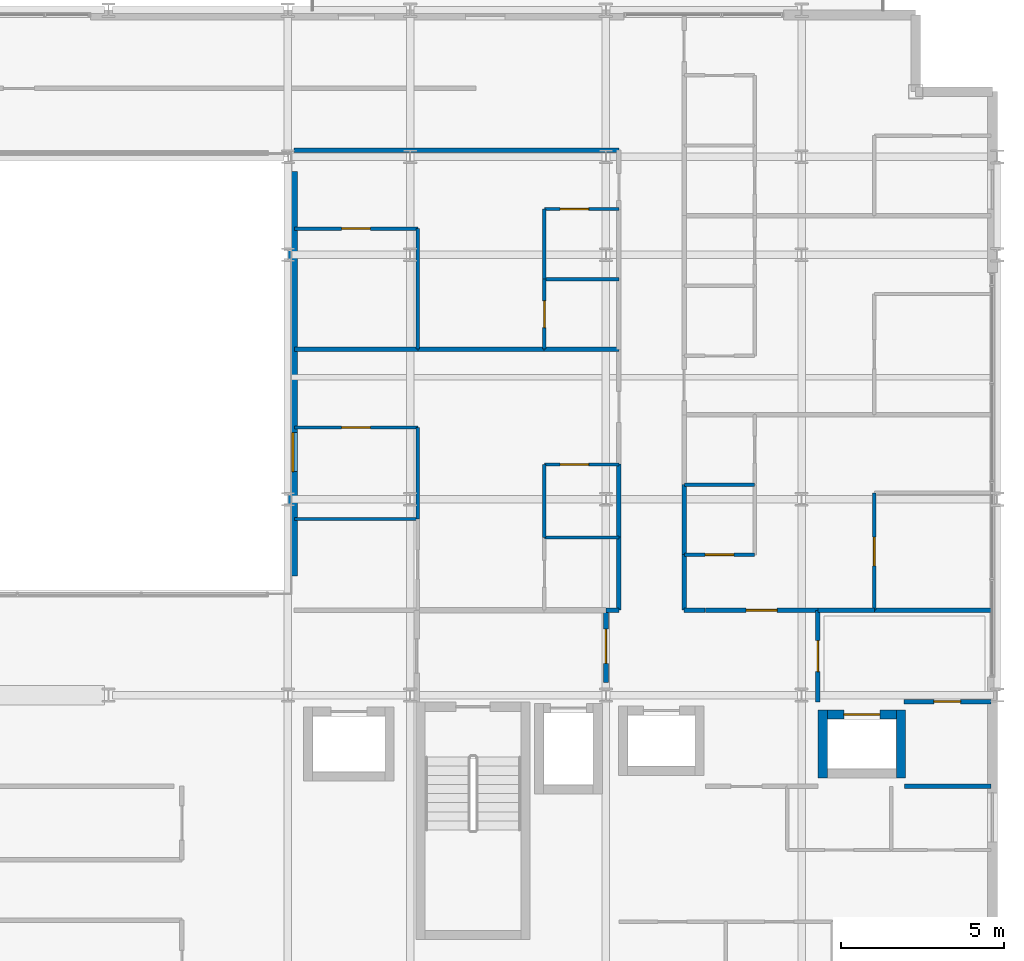
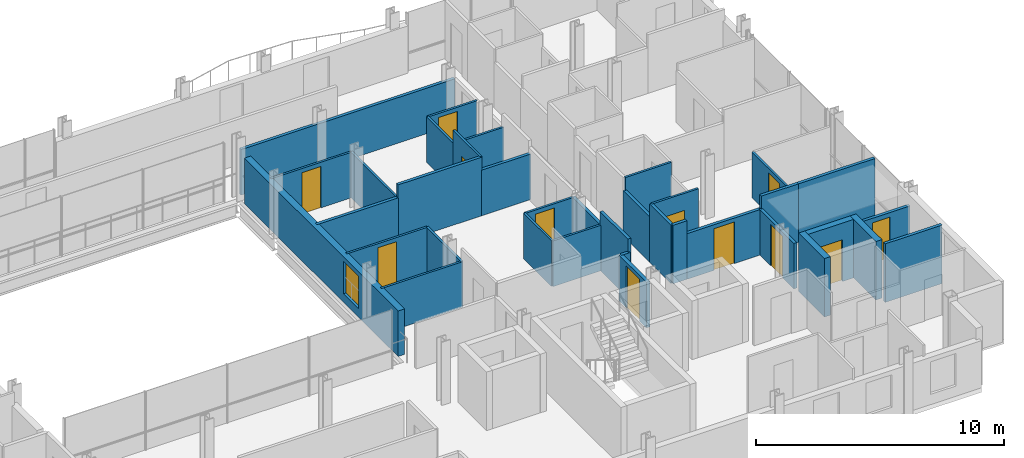
# One storey, part 35 of 40: 36 walls, 12 doors, 1 window, 13 openings.
"""IFC4 building model written with IfcOpenShell, lengths in metres."""

from ifc_helpers import new_model, si_unit, direction, frame, frame_2d, origin, place, context, subcontext, project, spatial, rectangle, extrude, material, layer, layer_set, type_object, element, fill, save


model = new_model("IFC4")

# Units and contexts
model_context = context("Model", 3, precision=1e-05, world=origin(), true_north=direction((0.0, 1.0)))
body_context = subcontext(model_context, "Body", "Model", "MODEL_VIEW")
ifc_project = project(units=[si_unit("LENGTHUNIT", "METRE"), si_unit("AREAUNIT", "SQUARE_METRE"), si_unit("VOLUMEUNIT", "CUBIC_METRE"), si_unit("PLANEANGLEUNIT", "RADIAN"), si_unit("MASSUNIT", "GRAM", prefix="KILO")], contexts=[model_context])

# Site, building, storey
site_placement = place(None, origin())
site = spatial("IfcSite", under=ifc_project, at=site_placement, CompositionType="ELEMENT")
building_placement = place(site_placement, origin())
building = spatial("IfcBuilding", under=site, at=building_placement, Name="Brevholm Reach", CompositionType="ELEMENT")
storey_placement = place(building_placement, frame((0.0, 0.0, 119.0)))
storey = spatial("IfcBuildingStorey", under=building, at=storey_placement, Name="L35", CompositionType="ELEMENT", Elevation=119.0)

# Walls
ifc_material_1 = material(Name="Concrete C50/60", Category="concrete")
ifc_layer_1 = layer(ifc_material_1, 0.280029296875)
ifc_layer_set_1 = layer_set([ifc_layer_1], Name="Concrete C50/60")
wall_type_1 = type_object("IfcWallType", Name="WAL-COR-280", PredefinedType="SHEAR", material=ifc_layer_set_1)
for number, where, z_axis, x_axis, name in (
    (1, (54.64990234375, 7.4599609375, 0.0), (0.0, 0.0, 1.0), (0.0, 1.0, 0.0), "L35 Lift PL-L2 Shaft Wall W"),
    (2, (57.050048828125, 7.4599609375, 0.0), (0.0, 0.0, 1.0), (0.0, 1.0, 0.0), "L35 Lift PL-L2 Shaft Wall E"),
):
    element("IfcWall", number, at=place(storey_placement, frame(where, z_axis=z_axis, x_axis=x_axis)), inside=storey, type_object=wall_type_1, Name=name, PredefinedType="SHEAR", context=body_context, shape_type="SweptSolid", body=[
        extrude(rectangle(XDim=2.080078125, YDim=0.280029296875, at=frame_2d((1.0400390625, 0.0))), origin(), (0.0, 0.0, 1.0), 2.8798828125),
    ])

# Wall, opening, door
wall_1_placement = place(storey_placement, frame((54.7900390625, 9.39990234375, 0.0), z_axis=(0.0, 0.0, 1.0), x_axis=(1.0, 0.0, 0.0)))
wall_1 = element("IfcWall", 3, at=wall_1_placement, inside=storey, type_object=wall_type_1, Name="L35 Lift PL-L2 Shaft Wall N", PredefinedType="SHEAR", context=body_context, shape_type="SweptSolid", body=[
    extrude(rectangle(XDim=2.119873046875, YDim=0.280029296875, at=frame_2d((1.06005859375, 0.0))), origin(), (0.0, 0.0, 1.0), 2.8798828125),
])
opening_1_placement = place(wall_1_placement, frame((0.510009765625, 0.0, 0.0)))
opening_1 = element("IfcOpeningElement", 4, at=opening_1_placement, cuts=wall_1, Name="Opening LD-PL-L2", PredefinedType="OPENING", context=body_context, shape_type="SweptSolid", body=[
    extrude(rectangle(XDim=1.10009765625, YDim=2.06005859375, at=frame_2d((0.550048828125, 1.030029296875))), frame((0.0, 0.14990234375, 0.0), z_axis=(0.0, -1.0, 0.0), x_axis=(1.0, 0.0, 0.0)), (0.0, 0.0, 1.0), 0.300048828125),
])
ifc_material_2 = material(Name="Brushed Stainless Steel Fire-Rated Sliding Lift Door", Category="steel")
door_type_1 = type_object("IfcDoorType", Name="DOR-LFT-1100", OperationType="NOTDEFINED", PredefinedType="DOOR", material=ifc_material_2)
door_1_placement = place(opening_1_placement, origin())
door_1 = element("IfcDoor", 5, at=door_1_placement, inside=storey, type_object=door_type_1, Name="L35 Lift PL-L2 Sliding Landing Door", OperationType="SLIDING_TO_RIGHT", OverallHeight=2.06005859375, OverallWidth=1.10009765625, PredefinedType="DOOR", context=body_context, shape_type="SweptSolid", body=[
    extrude(rectangle(XDim=1.10009765625, YDim=2.06005859375, at=frame_2d((0.550048828125, 1.030029296875))), frame((0.0, 0.02490234375, 0.0), z_axis=(0.0, -1.0, 0.0), x_axis=(1.0, 0.0, 0.0)), (0.0, 0.0, 1.0), 0.050048828125),
])
fill(opening_1, door_1)

# Wall, opening, window
ifc_material_3 = material(Name="Concrete C40/50", Category="concrete")
ifc_layer_2 = layer(ifc_material_3, 0.300048828125)
ifc_layer_set_2 = layer_set([ifc_layer_2], Name="Concrete C40/50")
wall_type_2 = type_object("IfcWallType", Name="WAL-EXT-300", PredefinedType="STANDARD", material=ifc_layer_set_2)
wall_2_placement = place(storey_placement, frame((38.39990234375, 13.64990234375, 0.0), z_axis=(0.0, 0.0, 1.0), x_axis=(0.0, 1.0, 0.0)))
wall_2 = element("IfcWall", 6, at=wall_2_placement, inside=storey, type_object=wall_type_2, Name="L35 Facade Wall WAL-L35-AT-E", PredefinedType="STANDARD", context=body_context, shape_type="SweptSolid", body=[
    extrude(rectangle(XDim=12.400146484375, YDim=0.300048828125, at=frame_2d((6.2001953125, 0.0))), origin(), (0.0, 0.0, 1.0), 2.242919921875),
])
opening_2_placement = place(wall_2_placement, frame((3.199951171875, 0.0, 0.423095703125)))
opening_2 = element("IfcOpeningElement", 7, at=opening_2_placement, cuts=wall_2, Name="Opening WN-08", PredefinedType="OPENING", context=body_context, shape_type="SweptSolid", body=[
    extrude(rectangle(XDim=1.199951171875, YDim=1.60009765625, at=frame_2d((0.60009765625, 0.800048828125))), frame((0.0, 0.159912109375, 0.0), z_axis=(0.0, -1.0, 0.0), x_axis=(1.0, 0.0, 0.0)), (0.0, 0.0, 1.0), 0.320068359375),
])
ifc_material_4 = material(Name="Dark Anodised Aluminium and Solar-Control IGU Glass", Category="aluminium")
window_type = type_object("IfcWindowType", Name="WIN-RES-1200", PartitioningType="SINGLE_PANEL", PredefinedType="WINDOW", material=ifc_material_4)
window_placement = place(opening_2_placement, origin())
window = element("IfcWindow", 8, at=window_placement, inside=storey, type_object=window_type, Name="L35 Window WIN-L35-AT-E1", OverallHeight=1.60009765625, OverallWidth=1.199951171875, PartitioningType="SINGLE_PANEL", PredefinedType="WINDOW", context=body_context, shape_type="SweptSolid", body=[
    extrude(rectangle(XDim=1.199951171875, YDim=1.60009765625, at=frame_2d((0.60009765625, 0.800048828125))), frame((0.0, 0.030029296875, 0.0), z_axis=(0.0, -1.0, 0.0), x_axis=(1.0, 0.0, 0.0)), (0.0, 0.0, 1.0), 0.06005859375),
])
fill(opening_2, window)

# Wall
ifc_material_5 = material(Name="Moisture-Resistant Acoustic Gypsum Stud Partition 100 mm", Category="gypsum")
ifc_layer_3 = layer(ifc_material_5, 0.10009765625)
ifc_layer_set_3 = layer_set([ifc_layer_3], Name="Moisture-Resistant Acoustic Gypsum Stud Partition 100 mm")
wall_type_3 = type_object("IfcWallType", Name="WAL-PRT-100", PredefinedType="PARTITIONING", material=ifc_layer_set_3)
wall_3_placement = place(storey_placement, frame((46.112060546875, 14.83203125, 0.0), z_axis=(0.0, 0.0, 1.0), x_axis=(1.0, 0.0, 0.0)))
element("IfcWall", 9, at=wall_3_placement, inside=storey, type_object=wall_type_3, Name="L35 Internal Partition 120", PredefinedType="PARTITIONING", context=body_context, shape_type="SweptSolid", body=[
    extrude(rectangle(XDim=2.283935546875, YDim=0.10009765625, at=frame_2d((1.14208984375, 0.0))), origin(), (0.0, 0.0, 1.0), 2.242919921875),
])

# Wall, opening, door
wall_4_placement = place(storey_placement, frame((46.112060546875, 17.072021484375, 0.0), z_axis=(0.0, 0.0, 1.0), x_axis=(1.0, 0.0, 0.0)))
wall_4 = element("IfcWall", 10, at=wall_4_placement, inside=storey, type_object=wall_type_3, Name="L35 Internal Partition 122", PredefinedType="PARTITIONING", context=body_context, shape_type="SweptSolid", body=[
    extrude(rectangle(XDim=2.283935546875, YDim=0.10009765625, at=frame_2d((1.14208984375, 0.0))), origin(), (0.0, 0.0, 1.0), 2.242919921875),
])
opening_3_placement = place(wall_4_placement, frame((0.48193359375, 0.0, 0.0)))
opening_3 = element("IfcOpeningElement", 11, at=opening_3_placement, cuts=wall_4, Name="Opening ID-01", PredefinedType="OPENING", context=body_context, shape_type="SweptSolid", body=[
    extrude(rectangle(XDim=0.8798828125, YDim=2.0400390625, at=frame_2d((0.43994140625, 1.02001953125))), frame((0.0, 0.06005859375, 0.0), z_axis=(0.0, -1.0, 0.0), x_axis=(1.0, 0.0, 0.0)), (0.0, 0.0, 1.0), 0.1201171875),
])
ifc_material_6 = material(Name="Lacquered Ash Solid-Core Acoustic Internal Door", Category="timber")
door_type_2 = type_object("IfcDoorType", Name="DOR-INT-880", OperationType="NOTDEFINED", PredefinedType="DOOR", material=ifc_material_6)
door_2_placement = place(opening_3_placement, origin())
door_2 = element("IfcDoor", 12, at=door_2_placement, inside=storey, type_object=door_type_2, Name="L35 Internal Door 047", OperationType="SINGLE_SWING_LEFT", OverallHeight=2.0400390625, OverallWidth=0.8798828125, PredefinedType="DOOR", context=body_context, shape_type="SweptSolid", body=[
    extrude(rectangle(XDim=0.8798828125, YDim=2.0400390625, at=frame_2d((0.43994140625, 1.02001953125))), frame((0.0, 0.02490234375, 0.0), z_axis=(0.0, -1.0, 0.0), x_axis=(1.0, 0.0, 0.0)), (0.0, 0.0, 1.0), 0.050048828125),
])
fill(opening_3, door_2)

# Walls
wall_5_placement = place(storey_placement, frame((46.112060546875, 14.8359375, 0.0), z_axis=(0.0, 0.0, 1.0), x_axis=(0.0, 1.0, 0.0)))
element("IfcWall", 13, at=wall_5_placement, inside=storey, type_object=wall_type_3, Name="L35 Internal Partition 123", PredefinedType="PARTITIONING", context=body_context, shape_type="SweptSolid", body=[
    extrude(rectangle(XDim=2.236083984375, YDim=0.10009765625, at=frame_2d((1.1181640625, 0.0))), origin(), (0.0, 0.0, 1.0), 2.242919921875),
])
wall_6_placement = place(storey_placement, frame((38.449951171875, 15.39990234375, 0.0), z_axis=(0.0, 0.0, 1.0), x_axis=(1.0, 0.0, 0.0)))
element("IfcWall", 14, at=wall_6_placement, inside=storey, type_object=wall_type_3, Name="L35 Internal Partition 124", PredefinedType="PARTITIONING", context=body_context, shape_type="SweptSolid", body=[
    extrude(rectangle(XDim=3.781005859375, YDim=0.10009765625, at=frame_2d((1.890625, 0.0))), origin(), (0.0, 0.0, 1.0), 2.242919921875),
])
wall_7_placement = place(storey_placement, frame((42.23095703125, 15.404052734375, 0.0), z_axis=(0.0, 0.0, 1.0), x_axis=(0.0, 1.0, 0.0)))
element("IfcWall", 15, at=wall_7_placement, inside=storey, type_object=wall_type_3, Name="L35 Internal Partition 126", PredefinedType="PARTITIONING", context=body_context, shape_type="SweptSolid", body=[
    extrude(rectangle(XDim=2.7958984375, YDim=0.10009765625, at=frame_2d((1.39794921875, 0.0))), origin(), (0.0, 0.0, 1.0), 2.242919921875),
])

# Wall, opening, door
wall_8_placement = place(storey_placement, frame((38.449951171875, 18.199951171875, 0.0), z_axis=(0.0, 0.0, 1.0), x_axis=(1.0, 0.0, 0.0)))
wall_8 = element("IfcWall", 16, at=wall_8_placement, inside=storey, type_object=wall_type_3, Name="L35 Internal Partition 127", PredefinedType="PARTITIONING", context=body_context, shape_type="SweptSolid", body=[
    extrude(rectangle(XDim=3.781005859375, YDim=0.10009765625, at=frame_2d((1.890625, 0.0))), origin(), (0.0, 0.0, 1.0), 2.242919921875),
])
opening_4_placement = place(wall_8_placement, frame((1.450439453125, 0.0, 0.0)))
opening_4 = element("IfcOpeningElement", 17, at=opening_4_placement, cuts=wall_8, Name="Opening ID-01", PredefinedType="OPENING", context=body_context, shape_type="SweptSolid", body=[
    extrude(rectangle(XDim=0.8798828125, YDim=2.0400390625, at=frame_2d((0.43994140625, 1.02001953125))), frame((0.0, 0.06005859375, 0.0), z_axis=(0.0, -1.0, 0.0), x_axis=(1.0, 0.0, 0.0)), (0.0, 0.0, 1.0), 0.1201171875),
])
door_3_placement = place(opening_4_placement, origin())
door_3 = element("IfcDoor", 18, at=door_3_placement, inside=storey, type_object=door_type_2, Name="L35 Internal Door 049", OperationType="SINGLE_SWING_LEFT", OverallHeight=2.0400390625, OverallWidth=0.8798828125, PredefinedType="DOOR", context=body_context, shape_type="SweptSolid", body=[
    extrude(rectangle(XDim=0.8798828125, YDim=2.0400390625, at=frame_2d((0.43994140625, 1.02001953125))), frame((0.0, 0.02490234375, 0.0), z_axis=(0.0, -1.0, 0.0), x_axis=(1.0, 0.0, 0.0)), (0.0, 0.0, 1.0), 0.050048828125),
])
fill(opening_4, door_3)

# Wall
wall_9_placement = place(storey_placement, frame((46.112060546875, 22.75, 0.0), z_axis=(0.0, 0.0, 1.0), x_axis=(1.0, 0.0, 0.0)))
element("IfcWall", 19, at=wall_9_placement, inside=storey, type_object=wall_type_3, Name="L35 Internal Partition 131", PredefinedType="PARTITIONING", context=body_context, shape_type="SweptSolid", body=[
    extrude(rectangle(XDim=2.283935546875, YDim=0.10009765625, at=frame_2d((1.14208984375, 0.0))), origin(), (0.0, 0.0, 1.0), 2.242919921875),
])

# Wall, opening, door
wall_10_placement = place(storey_placement, frame((46.112060546875, 20.60400390625, 0.0), z_axis=(0.0, 0.0, 1.0), x_axis=(0.0, 1.0, 0.0)))
wall_10 = element("IfcWall", 20, at=wall_10_placement, inside=storey, type_object=wall_type_3, Name="L35 Internal Partition 132", PredefinedType="PARTITIONING", context=body_context, shape_type="SweptSolid", body=[
    extrude(rectangle(XDim=2.14599609375, YDim=0.10009765625, at=frame_2d((1.072998046875, 0.0))), origin(), (0.0, 0.0, 1.0), 2.8798828125),
])
opening_5_placement = place(wall_10_placement, frame((0.6630859375, 0.0, 0.0)))
opening_5 = element("IfcOpeningElement", 21, at=opening_5_placement, cuts=wall_10, Name="Opening ID-03", PredefinedType="OPENING", context=body_context, shape_type="SweptSolid", body=[
    extrude(rectangle(XDim=0.820068359375, YDim=2.02001953125, at=frame_2d((0.41015625, 1.010009765625))), frame((0.0, 0.06005859375, 0.0), z_axis=(0.0, -1.0, 0.0), x_axis=(1.0, 0.0, 0.0)), (0.0, 0.0, 1.0), 0.1201171875),
])
ifc_material_7 = material(Name="Moisture-Resistant Painted Timber Internal Bathroom Door", Category="wood")
door_type_3 = type_object("IfcDoorType", Name="DOR-BATH-820", OperationType="NOTDEFINED", PredefinedType="DOOR", material=ifc_material_7)
door_4_placement = place(opening_5_placement, origin())
door_4 = element("IfcDoor", 22, at=door_4_placement, inside=storey, type_object=door_type_3, Name="L35 Internal Door 050", OperationType="SINGLE_SWING_RIGHT", OverallHeight=2.02001953125, OverallWidth=0.820068359375, PredefinedType="DOOR", context=body_context, shape_type="SweptSolid", body=[
    extrude(rectangle(XDim=0.820068359375, YDim=2.02001953125, at=frame_2d((0.41015625, 1.010009765625))), frame((0.0, 0.02490234375, 0.0), z_axis=(0.0, -1.0, 0.0), x_axis=(1.0, 0.0, 0.0)), (0.0, 0.0, 1.0), 0.050048828125),
])
fill(opening_5, door_4)

wall_11_placement = place(storey_placement, frame((46.112060546875, 24.89990234375, 0.0), z_axis=(0.0, 0.0, 1.0), x_axis=(1.0, 0.0, 0.0)))
wall_11 = element("IfcWall", 23, at=wall_11_placement, inside=storey, type_object=wall_type_3, Name="L35 Internal Partition 133", PredefinedType="PARTITIONING", context=body_context, shape_type="SweptSolid", body=[
    extrude(rectangle(XDim=2.283935546875, YDim=0.10009765625, at=frame_2d((1.14208984375, 0.0))), origin(), (0.0, 0.0, 1.0), 2.242919921875),
])
opening_6_placement = place(wall_11_placement, frame((0.48193359375, 0.0, 0.0)))
opening_6 = element("IfcOpeningElement", 24, at=opening_6_placement, cuts=wall_11, Name="Opening ID-01", PredefinedType="OPENING", context=body_context, shape_type="SweptSolid", body=[
    extrude(rectangle(XDim=0.8798828125, YDim=2.0400390625, at=frame_2d((0.43994140625, 1.02001953125))), frame((0.0, 0.06005859375, 0.0), z_axis=(0.0, -1.0, 0.0), x_axis=(1.0, 0.0, 0.0)), (0.0, 0.0, 1.0), 0.1201171875),
])
door_5_placement = place(opening_6_placement, origin())
door_5 = element("IfcDoor", 25, at=door_5_placement, inside=storey, type_object=door_type_2, Name="L35 Internal Door 051", OperationType="SINGLE_SWING_LEFT", OverallHeight=2.0400390625, OverallWidth=0.8798828125, PredefinedType="DOOR", context=body_context, shape_type="SweptSolid", body=[
    extrude(rectangle(XDim=0.8798828125, YDim=2.0400390625, at=frame_2d((0.43994140625, 1.02001953125))), frame((0.0, 0.02490234375, 0.0), z_axis=(0.0, -1.0, 0.0), x_axis=(1.0, 0.0, 0.0)), (0.0, 0.0, 1.0), 0.050048828125),
])
fill(opening_6, door_5)

# Walls
wall_12_placement = place(storey_placement, frame((46.112060546875, 22.75390625, 0.0), z_axis=(0.0, 0.0, 1.0), x_axis=(0.0, 1.0, 0.0)))
element("IfcWall", 26, at=wall_12_placement, inside=storey, type_object=wall_type_3, Name="L35 Internal Partition 134", PredefinedType="PARTITIONING", context=body_context, shape_type="SweptSolid", body=[
    extrude(rectangle(XDim=2.14599609375, YDim=0.10009765625, at=frame_2d((1.072998046875, 0.0))), origin(), (0.0, 0.0, 1.0), 2.242919921875),
])
wall_13_placement = place(storey_placement, frame((42.23095703125, 20.60400390625, 0.0), z_axis=(0.0, 0.0, 1.0), x_axis=(0.0, 1.0, 0.0)))
element("IfcWall", 27, at=wall_13_placement, inside=storey, type_object=wall_type_3, Name="L35 Internal Partition 135", PredefinedType="PARTITIONING", context=body_context, shape_type="SweptSolid", body=[
    extrude(rectangle(XDim=3.696044921875, YDim=0.10009765625, at=frame_2d((1.84814453125, 0.0))), origin(), (0.0, 0.0, 1.0), 2.242919921875),
])

# Wall, opening, door
wall_14_placement = place(storey_placement, frame((38.449951171875, 24.300048828125, 0.0), z_axis=(0.0, 0.0, 1.0), x_axis=(1.0, 0.0, 0.0)))
wall_14 = element("IfcWall", 28, at=wall_14_placement, inside=storey, type_object=wall_type_3, Name="L35 Internal Partition 136", PredefinedType="PARTITIONING", context=body_context, shape_type="SweptSolid", body=[
    extrude(rectangle(XDim=3.781005859375, YDim=0.10009765625, at=frame_2d((1.890625, 0.0))), origin(), (0.0, 0.0, 1.0), 2.242919921875),
])
opening_7_placement = place(wall_14_placement, frame((1.450439453125, 0.0, 0.0)))
opening_7 = element("IfcOpeningElement", 29, at=opening_7_placement, cuts=wall_14, Name="Opening ID-01", PredefinedType="OPENING", context=body_context, shape_type="SweptSolid", body=[
    extrude(rectangle(XDim=0.8798828125, YDim=2.0400390625, at=frame_2d((0.43994140625, 1.02001953125))), frame((0.0, 0.06005859375, 0.0), z_axis=(0.0, -1.0, 0.0), x_axis=(1.0, 0.0, 0.0)), (0.0, 0.0, 1.0), 0.1201171875),
])
door_6_placement = place(opening_7_placement, origin())
door_6 = element("IfcDoor", 30, at=door_6_placement, inside=storey, type_object=door_type_2, Name="L35 Internal Door 052", OperationType="SINGLE_SWING_RIGHT", OverallHeight=2.0400390625, OverallWidth=0.8798828125, PredefinedType="DOOR", context=body_context, shape_type="SweptSolid", body=[
    extrude(rectangle(XDim=0.8798828125, YDim=2.0400390625, at=frame_2d((0.43994140625, 1.02001953125))), frame((0.0, 0.02490234375, 0.0), z_axis=(0.0, -1.0, 0.0), x_axis=(1.0, 0.0, 0.0)), (0.0, 0.0, 1.0), 0.050048828125),
])
fill(opening_7, door_6)

# Wall
wall_15_placement = place(storey_placement, frame((50.404052734375, 16.449951171875, 0.0), z_axis=(0.0, 0.0, 1.0), x_axis=(1.0, 0.0, 0.0)))
element("IfcWall", 31, at=wall_15_placement, inside=storey, type_object=wall_type_3, Name="L35 Internal Partition 137", PredefinedType="PARTITIONING", context=body_context, shape_type="SweptSolid", body=[
    extrude(rectangle(XDim=2.157958984375, YDim=0.10009765625, at=frame_2d((1.0791015625, 0.0))), origin(), (0.0, 0.0, 1.0), 2.8798828125),
])

# Wall, opening, door
wall_16_placement = place(storey_placement, frame((50.404052734375, 14.300048828125, 0.0), z_axis=(0.0, 0.0, 1.0), x_axis=(1.0, 0.0, 0.0)))
wall_16 = element("IfcWall", 32, at=wall_16_placement, inside=storey, type_object=wall_type_3, Name="L35 Internal Partition 140", PredefinedType="PARTITIONING", context=body_context, shape_type="SweptSolid", body=[
    extrude(rectangle(XDim=2.157958984375, YDim=0.10009765625, at=frame_2d((1.0791015625, 0.0))), origin(), (0.0, 0.0, 1.0), 2.8798828125),
])
opening_8_placement = place(wall_16_placement, frame((0.638916015625, 0.0, 0.0)))
opening_8 = element("IfcOpeningElement", 33, at=opening_8_placement, cuts=wall_16, Name="Opening ID-01", PredefinedType="OPENING", context=body_context, shape_type="SweptSolid", body=[
    extrude(rectangle(XDim=0.8798828125, YDim=2.0400390625, at=frame_2d((0.43994140625, 1.02001953125))), frame((0.0, 0.06005859375, 0.0), z_axis=(0.0, -1.0, 0.0), x_axis=(1.0, 0.0, 0.0)), (0.0, 0.0, 1.0), 0.1201171875),
])
door_7_placement = place(opening_8_placement, origin())
door_7 = element("IfcDoor", 34, at=door_7_placement, inside=storey, type_object=door_type_2, Name="L35 Internal Door 054", OperationType="SINGLE_SWING_RIGHT", OverallHeight=2.0400390625, OverallWidth=0.8798828125, PredefinedType="DOOR", context=body_context, shape_type="SweptSolid", body=[
    extrude(rectangle(XDim=0.8798828125, YDim=2.0400390625, at=frame_2d((0.43994140625, 1.02001953125))), frame((0.0, 0.02490234375, 0.0), z_axis=(0.0, -1.0, 0.0), x_axis=(1.0, 0.0, 0.0)), (0.0, 0.0, 1.0), 0.050048828125),
])
fill(opening_8, door_7)

wall_17_placement = place(storey_placement, frame((56.22802734375, 12.60400390625, 0.0), z_axis=(0.0, 0.0, 1.0), x_axis=(0.0, 1.0, 0.0)))
wall_17 = element("IfcWall", 35, at=wall_17_placement, inside=storey, type_object=wall_type_3, Name="L35 Internal Partition 143", PredefinedType="PARTITIONING", context=body_context, shape_type="SweptSolid", body=[
    extrude(rectangle(XDim=3.595947265625, YDim=0.10009765625, at=frame_2d((1.7978515625, 0.0))), origin(), (0.0, 0.0, 1.0), 2.242919921875),
])
opening_9_placement = place(wall_17_placement, frame((1.35791015625, 0.0, 0.0)))
opening_9 = element("IfcOpeningElement", 36, at=opening_9_placement, cuts=wall_17, Name="Opening ID-01", PredefinedType="OPENING", context=body_context, shape_type="SweptSolid", body=[
    extrude(rectangle(XDim=0.8798828125, YDim=2.0400390625, at=frame_2d((0.43994140625, 1.02001953125))), frame((0.0, 0.06005859375, 0.0), z_axis=(0.0, -1.0, 0.0), x_axis=(1.0, 0.0, 0.0)), (0.0, 0.0, 1.0), 0.1201171875),
])
door_8_placement = place(opening_9_placement, origin())
door_8 = element("IfcDoor", 37, at=door_8_placement, inside=storey, type_object=door_type_2, Name="L35 Internal Door 055", OperationType="SINGLE_SWING_LEFT", OverallHeight=2.0400390625, OverallWidth=0.8798828125, PredefinedType="DOOR", context=body_context, shape_type="SweptSolid", body=[
    extrude(rectangle(XDim=0.8798828125, YDim=2.0400390625, at=frame_2d((0.43994140625, 1.02001953125))), frame((0.0, 0.02490234375, 0.0), z_axis=(0.0, -1.0, 0.0), x_axis=(1.0, 0.0, 0.0)), (0.0, 0.0, 1.0), 0.050048828125),
])
fill(opening_9, door_8)

ifc_material_8 = material(Name="Twin-Stud Acoustic Fire-Rated Gypsum Partition 140 mm", Category="gypsum")
ifc_layer_4 = layer(ifc_material_8, 0.139892578125)
ifc_layer_set_4 = layer_set([ifc_layer_4], Name="Twin-Stud Acoustic Fire-Rated Gypsum Partition 140 mm")
wall_type_4 = type_object("IfcWallType", Name="WAL-PRT-140", PredefinedType="PARTITIONING", material=ifc_layer_set_4)
wall_18_placement = place(storey_placement, frame((54.5, 9.788818359375, 0.0), z_axis=(0.0, 0.0, 1.0), x_axis=(0.0, 1.0, 0.0)))
wall_18 = element("IfcWall", 38, at=wall_18_placement, inside=storey, type_object=wall_type_4, Name="L35 Internal Partition 013", PredefinedType="PARTITIONING", context=body_context, shape_type="SweptSolid", body=[
    extrude(rectangle(XDim=2.811279296875, YDim=0.139892578125, at=frame_2d((1.40576171875, 0.0))), origin(), (0.0, 0.0, 1.0), 2.242919921875),
])
opening_10_placement = place(wall_18_placement, frame((0.9306640625, 0.0, 0.0)))
opening_10 = element("IfcOpeningElement", 39, at=opening_10_placement, cuts=wall_18, Name="Opening ID-30", PredefinedType="OPENING", context=body_context, shape_type="SweptSolid", body=[
    extrude(rectangle(XDim=0.949951171875, YDim=2.050048828125, at=frame_2d((0.47509765625, 1.02490234375))), frame((0.0, 0.079833984375, 0.0), z_axis=(0.0, -1.0, 0.0), x_axis=(1.0, 0.0, 0.0)), (0.0, 0.0, 1.0), 0.159912109375),
])
ifc_material_9 = material(Name="European Oak Veneered Solid-Core Fire Entrance Door", Category="timber")
door_type_4 = type_object("IfcDoorType", Name="DOR-FLT-FD30S", OperationType="NOTDEFINED", PredefinedType="DOOR", material=ifc_material_9)
door_9_placement = place(opening_10_placement, origin())
door_9 = element("IfcDoor", 40, at=door_9_placement, inside=storey, type_object=door_type_4, Name="L35 Internal Door 008", OperationType="SINGLE_SWING_RIGHT", OverallHeight=2.050048828125, OverallWidth=0.949951171875, PredefinedType="DOOR", context=body_context, shape_type="SweptSolid", body=[
    extrude(rectangle(XDim=0.949951171875, YDim=2.050048828125, at=frame_2d((0.47509765625, 1.02490234375))), frame((0.0, 0.02490234375, 0.0), z_axis=(0.0, -1.0, 0.0), x_axis=(1.0, 0.0, 0.0)), (0.0, 0.0, 1.0), 0.050048828125),
])
fill(opening_10, door_9)

wall_19_placement = place(storey_placement, frame((51.050048828125, 12.60009765625, 0.0), z_axis=(0.0, 0.0, 1.0), x_axis=(1.0, 0.0, 0.0)))
wall_19 = element("IfcWall", 41, at=wall_19_placement, inside=storey, type_object=wall_type_4, Name="L35 Internal Partition 016", PredefinedType="PARTITIONING", context=body_context, shape_type="SweptSolid", body=[
    extrude(rectangle(XDim=3.449951171875, YDim=0.139892578125, at=frame_2d((1.72509765625, 0.0))), origin(), (0.0, 0.0, 1.0), 2.242919921875),
])
opening_11_placement = place(wall_19_placement, frame((1.25, 0.0, 0.0)))
opening_11 = element("IfcOpeningElement", 42, at=opening_11_placement, cuts=wall_19, Name="Opening ID-30", PredefinedType="OPENING", context=body_context, shape_type="SweptSolid", body=[
    extrude(rectangle(XDim=0.949951171875, YDim=2.050048828125, at=frame_2d((0.47509765625, 1.02490234375))), frame((0.0, 0.079833984375, 0.0), z_axis=(0.0, -1.0, 0.0), x_axis=(1.0, 0.0, 0.0)), (0.0, 0.0, 1.0), 0.159912109375),
])
door_10_placement = place(opening_11_placement, origin())
door_10 = element("IfcDoor", 43, at=door_10_placement, inside=storey, type_object=door_type_4, Name="L35 Internal Door 010", OperationType="SINGLE_SWING_RIGHT", OverallHeight=2.050048828125, OverallWidth=0.949951171875, PredefinedType="DOOR", context=body_context, shape_type="SweptSolid", body=[
    extrude(rectangle(XDim=0.949951171875, YDim=2.050048828125, at=frame_2d((0.47509765625, 1.02490234375))), frame((0.0, 0.02490234375, 0.0), z_axis=(0.0, -1.0, 0.0), x_axis=(1.0, 0.0, 0.0)), (0.0, 0.0, 1.0), 0.050048828125),
])
fill(opening_11, door_10)

# Walls
wall_20_placement = place(storey_placement, frame((48.00390625, 12.60009765625, 0.0), z_axis=(0.0, 0.0, 1.0), x_axis=(1.0, 0.0, 0.0)))
element("IfcWall", 44, at=wall_20_placement, inside=storey, type_object=wall_type_4, Name="L35 Internal Partition 034", PredefinedType="PARTITIONING", context=body_context, shape_type="SweptSolid", body=[
    extrude(rectangle(XDim=0.4033203125, YDim=0.139892578125, at=frame_2d((0.20166015625, 0.0))), origin(), (0.0, 0.0, 1.0), 2.242919921875),
])
wall_21_placement = place(storey_placement, frame((50.392578125, 12.60009765625, 0.0), z_axis=(0.0, 0.0, 1.0), x_axis=(1.0, 0.0, 0.0)))
element("IfcWall", 45, at=wall_21_placement, inside=storey, type_object=wall_type_4, Name="L35 Internal Partition 035", PredefinedType="PARTITIONING", context=body_context, shape_type="SweptSolid", body=[
    extrude(rectangle(XDim=0.6533203125, YDim=0.139892578125, at=frame_2d((0.32666015625, 0.0))), origin(), (0.0, 0.0, 1.0), 2.8798828125),
])
wall_22_placement = place(storey_placement, frame((48.39990234375, 12.60400390625, 0.0), z_axis=(0.0, 0.0, 1.0), x_axis=(0.0, 1.0, 0.0)))
element("IfcWall", 46, at=wall_22_placement, inside=storey, type_object=wall_type_4, Name="L35 Internal Partition 046", PredefinedType="PARTITIONING", context=body_context, shape_type="SweptSolid", body=[
    extrude(rectangle(XDim=2.2392578125, YDim=0.139892578125, at=frame_2d((1.11962890625, 0.0))), origin(), (0.0, 0.0, 1.0), 2.8798828125),
])
wall_23_placement = place(storey_placement, frame((48.39990234375, 14.82470703125, 0.0), z_axis=(0.0, 0.0, 1.0), x_axis=(0.0, 1.0, 0.0)))
element("IfcWall", 47, at=wall_23_placement, inside=storey, type_object=wall_type_4, Name="L35 Internal Partition 047", PredefinedType="PARTITIONING", context=body_context, shape_type="SweptSolid", body=[
    extrude(rectangle(XDim=2.258544921875, YDim=0.139892578125, at=frame_2d((1.12939453125, 0.0))), origin(), (0.0, 0.0, 1.0), 2.242919921875),
])
wall_24_placement = place(storey_placement, frame((50.39990234375, 14.288818359375, 0.0), z_axis=(0.0, 0.0, 1.0), x_axis=(0.0, 1.0, 0.0)))
element("IfcWall", 48, at=wall_24_placement, inside=storey, type_object=wall_type_4, Name="L35 Internal Partition 053", PredefinedType="PARTITIONING", context=body_context, shape_type="SweptSolid", body=[
    extrude(rectangle(XDim=2.16845703125, YDim=0.139892578125, at=frame_2d((1.084228515625, 0.0))), origin(), (0.0, 0.0, 1.0), 2.242919921875),
])
wall_25_placement = place(storey_placement, frame((50.39990234375, 12.60400390625, 0.0), z_axis=(0.0, 0.0, 1.0), x_axis=(0.0, 1.0, 0.0)))
element("IfcWall", 49, at=wall_25_placement, inside=storey, type_object=wall_type_4, Name="L35 Internal Partition 054", PredefinedType="PARTITIONING", context=body_context, shape_type="SweptSolid", body=[
    extrude(rectangle(XDim=1.703369140625, YDim=0.139892578125, at=frame_2d((0.8515625, 0.0))), origin(), (0.0, 0.0, 1.0), 2.8798828125),
])
wall_26_placement = place(storey_placement, frame((38.438720703125, 26.699951171875, 0.0), z_axis=(0.0, 0.0, 1.0), x_axis=(1.0, 0.0, 0.0)))
element("IfcWall", 50, at=wall_26_placement, inside=storey, type_object=wall_type_4, Name="L35 Internal Partition 063", PredefinedType="PARTITIONING", context=body_context, shape_type="SweptSolid", body=[
    extrude(rectangle(XDim=9.957275390625, YDim=0.139892578125, at=frame_2d((4.978515625, 0.0))), origin(), (0.0, 0.0, 1.0), 2.242919921875),
])

# Wall, opening, door
wall_27_placement = place(storey_placement, frame((57.138671875, 9.800048828125, 0.0), z_axis=(0.0, 0.0, 1.0), x_axis=(1.0, 0.0, 0.0)))
wall_27 = element("IfcWall", 51, at=wall_27_placement, inside=storey, type_object=wall_type_4, Name="L35 Internal Partition 076", PredefinedType="PARTITIONING", context=body_context, shape_type="SweptSolid", body=[
    extrude(rectangle(XDim=2.661376953125, YDim=0.139892578125, at=frame_2d((1.33056640625, 0.0))), origin(), (0.0, 0.0, 1.0), 2.242919921875),
])
opening_12_placement = place(wall_27_placement, frame((0.920654296875, 0.0, 0.0)))
opening_12 = element("IfcOpeningElement", 52, at=opening_12_placement, cuts=wall_27, Name="Opening ID-02", PredefinedType="OPENING", context=body_context, shape_type="SweptSolid", body=[
    extrude(rectangle(XDim=0.820068359375, YDim=2.02001953125, at=frame_2d((0.41015625, 1.010009765625))), frame((0.0, 0.079833984375, 0.0), z_axis=(0.0, -1.0, 0.0), x_axis=(1.0, 0.0, 0.0)), (0.0, 0.0, 1.0), 0.159912109375),
])
ifc_material_10 = material(Name="Moisture-Resistant Painted Timber Fire-Rated Riser and Service Door", Category="wood")
door_type_5 = type_object("IfcDoorType", Name="DOR-SRV-820", OperationType="NOTDEFINED", PredefinedType="DOOR", material=ifc_material_10)
door_11_placement = place(opening_12_placement, origin())
door_11 = element("IfcDoor", 53, at=door_11_placement, inside=storey, type_object=door_type_5, Name="L35 Access Door 062", OperationType="SINGLE_SWING_RIGHT", OverallHeight=2.02001953125, OverallWidth=0.820068359375, PredefinedType="DOOR", context=body_context, shape_type="SweptSolid", body=[
    extrude(rectangle(XDim=0.820068359375, YDim=2.02001953125, at=frame_2d((0.41015625, 1.010009765625))), frame((0.0, 0.02490234375, 0.0), z_axis=(0.0, -1.0, 0.0), x_axis=(1.0, 0.0, 0.0)), (0.0, 0.0, 1.0), 0.050048828125),
])
fill(opening_12, door_11)

# Walls
wall_28_placement = place(storey_placement, frame((56.216796875, 12.60009765625, 0.0), z_axis=(0.0, 0.0, 1.0), x_axis=(1.0, 0.0, 0.0)))
element("IfcWall", 54, at=wall_28_placement, inside=storey, type_object=wall_type_4, Name="L35 Internal Partition 077", PredefinedType="PARTITIONING", context=body_context, shape_type="SweptSolid", body=[
    extrude(rectangle(XDim=3.583251953125, YDim=0.139892578125, at=frame_2d((1.79150390625, 0.0))), origin(), (0.0, 0.0, 1.0), 2.8798828125),
])
wall_29_placement = place(storey_placement, frame((54.50390625, 12.60009765625, 0.0), z_axis=(0.0, 0.0, 1.0), x_axis=(1.0, 0.0, 0.0)))
element("IfcWall", 55, at=wall_29_placement, inside=storey, type_object=wall_type_4, Name="L35 Internal Partition 078", PredefinedType="PARTITIONING", context=body_context, shape_type="SweptSolid", body=[
    extrude(rectangle(XDim=1.7314453125, YDim=0.139892578125, at=frame_2d((0.86572265625, 0.0))), origin(), (0.0, 0.0, 1.0), 2.8798828125),
])
wall_30_placement = place(storey_placement, frame((57.14990234375, 7.199951171875, 0.0), z_axis=(0.0, 0.0, 1.0), x_axis=(1.0, 0.0, 0.0)))
element("IfcWall", 56, at=wall_30_placement, inside=storey, type_object=wall_type_4, Name="L35 Internal Partition 079", PredefinedType="PARTITIONING", context=body_context, shape_type="SweptSolid", body=[
    extrude(rectangle(XDim=2.650146484375, YDim=0.139892578125, at=frame_2d((1.3251953125, 0.0))), origin(), (0.0, 0.0, 1.0), 2.8798828125),
])
wall_31_placement = place(storey_placement, frame((46.1005859375, 20.60009765625, 0.0), z_axis=(0.0, 0.0, 1.0), x_axis=(1.0, 0.0, 0.0)))
element("IfcWall", 57, at=wall_31_placement, inside=storey, type_object=wall_type_4, Name="L35 Internal Partition 128", PredefinedType="PARTITIONING", context=body_context, shape_type="SweptSolid", body=[
    extrude(rectangle(XDim=2.29541015625, YDim=0.139892578125, at=frame_2d((1.147705078125, 0.0))), origin(), (0.0, 0.0, 1.0), 2.242919921875),
])
wall_32_placement = place(storey_placement, frame((38.449951171875, 20.60009765625, 0.0), z_axis=(0.0, 0.0, 1.0), x_axis=(1.0, 0.0, 0.0)))
element("IfcWall", 58, at=wall_32_placement, inside=storey, type_object=wall_type_4, Name="L35 Internal Partition 129", PredefinedType="PARTITIONING", context=body_context, shape_type="SweptSolid", body=[
    extrude(rectangle(XDim=3.792236328125, YDim=0.139892578125, at=frame_2d((1.89599609375, 0.0))), origin(), (0.0, 0.0, 1.0), 2.242919921875),
])
wall_33_placement = place(storey_placement, frame((42.2236328125, 20.60009765625, 0.0), z_axis=(0.0, 0.0, 1.0), x_axis=(1.0, 0.0, 0.0)))
element("IfcWall", 59, at=wall_33_placement, inside=storey, type_object=wall_type_4, Name="L35 Internal Partition 130", PredefinedType="PARTITIONING", context=body_context, shape_type="SweptSolid", body=[
    extrude(rectangle(XDim=3.895751953125, YDim=0.139892578125, at=frame_2d((1.94775390625, 0.0))), origin(), (0.0, 0.0, 1.0), 2.8798828125),
])

# Wall, opening, door
ifc_material_11 = material(Name="Twin-Frame Fire-Rated Gypsum Board and Mineral Wool 160 mm", Category="gypsum")
ifc_layer_5 = layer(ifc_material_11, 0.159912109375)
ifc_layer_set_5 = layer_set([ifc_layer_5], Name="Twin-Frame Fire-Rated Gypsum Board and Mineral Wool 160 mm")
wall_type_5 = type_object("IfcWallType", Name="WAL-PRT-160", PredefinedType="PARTITIONING", material=ifc_layer_set_5)
wall_34_placement = place(storey_placement, frame((48.0, 10.388671875, 0.0), z_axis=(0.0, 0.0, 1.0), x_axis=(0.0, 1.0, 0.0)))
wall_34 = element("IfcWall", 60, at=wall_34_placement, inside=storey, type_object=wall_type_5, Name="L35 Internal Partition 024", PredefinedType="PARTITIONING", context=body_context, shape_type="SweptSolid", body=[
    extrude(rectangle(XDim=2.21142578125, YDim=0.159912109375, at=frame_2d((1.105712890625, 0.0))), origin(), (0.0, 0.0, 1.0), 2.242919921875),
])
opening_13_placement = place(wall_34_placement, frame((0.58056640625, 0.0, 0.0)))
opening_13 = element("IfcOpeningElement", 61, at=opening_13_placement, cuts=wall_34, Name="Opening FD-01", PredefinedType="OPENING", context=body_context, shape_type="SweptSolid", body=[
    extrude(rectangle(XDim=1.050048828125, YDim=2.06005859375, at=frame_2d((0.52490234375, 1.030029296875))), frame((0.0, 0.08984375, 0.0), z_axis=(0.0, -1.0, 0.0), x_axis=(1.0, 0.0, 0.0)), (0.0, 0.0, 1.0), 0.179931640625),
])
ifc_material_12 = material(Name="Hardwood-Lipped Steel-Core Fire and Smoke Door", Category="steel")
door_type_6 = type_object("IfcDoorType", Name="DOR-INT-FD60S", OperationType="NOTDEFINED", PredefinedType="DOOR", material=ifc_material_12)
door_12_placement = place(opening_13_placement, origin())
door_12 = element("IfcDoor", 62, at=door_12_placement, inside=storey, type_object=door_type_6, Name="L35 Internal Door 014", OperationType="SINGLE_SWING_RIGHT", OverallHeight=2.06005859375, OverallWidth=1.050048828125, PredefinedType="DOOR", context=body_context, shape_type="SweptSolid", body=[
    extrude(rectangle(XDim=1.050048828125, YDim=2.06005859375, at=frame_2d((0.52490234375, 1.030029296875))), frame((0.0, 0.02490234375, 0.0), z_axis=(0.0, -1.0, 0.0), x_axis=(1.0, 0.0, 0.0)), (0.0, 0.0, 1.0), 0.050048828125),
])
fill(opening_13, door_12)

save(model, "model.ifc")
